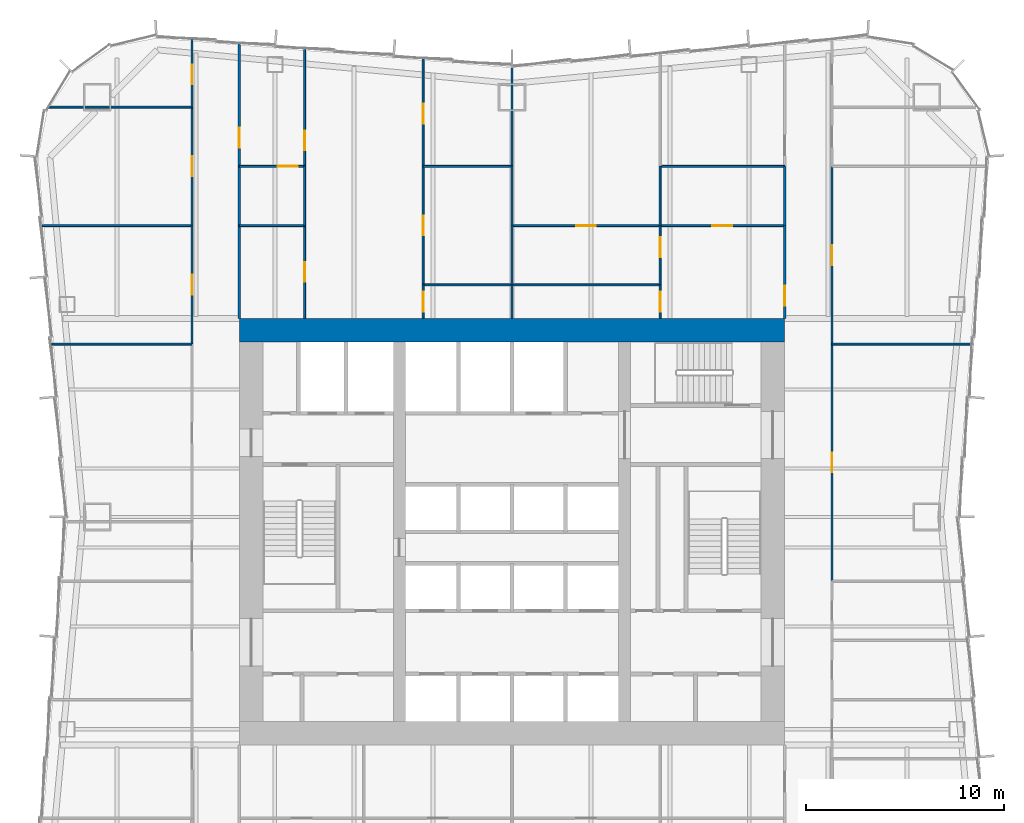
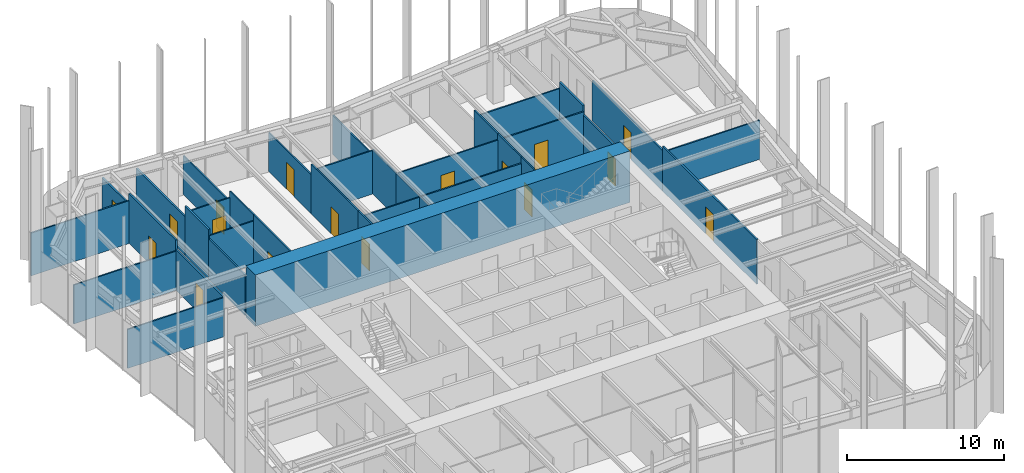
# One storey, part 11 of 13: 36 walls, 17 doors, 17 openings.
"""IFC4 building model written with IfcOpenShell, lengths in metres."""

import ifcopenshell
import ifcopenshell.guid

model = None  # the IFC model being written
_history = None  # IfcOwnerHistory: only IFC2X3 demands one
_inside = {}  # id of a spatial element -> (the spatial element, [elements in it])
_under = {}  # id of a project, library or spatial element -> (it, [spatial elements below it])
_declared = {}  # id of a project -> (the project, [libraries it declares])
_typed = {}  # id of a type object -> (the type object, [elements of that type])
_made_of = {}  # id of a material, layer set ... -> (it, [elements and type objects made of it])


def new_model(schema):
    """Start an empty IFC model of exactly this schema.

    Asked for "IFC4X3", IfcOpenShell would pick the latest addendum, in which some entities
    have other attributes; the version numbers below select the first issue.
    IFC2X3 requires an IfcOwnerHistory on every rooted entity: one is made here for all.
    """
    global model, _history
    if schema == "IFC4X3":
        model = ifcopenshell.file(schema_version=(4, 3, 0, 0))
    else:
        model = ifcopenshell.file(schema=schema)
    _inside.clear()
    _under.clear()
    _declared.clear()
    _typed.clear()
    _made_of.clear()
    _history = None
    if model.schema == "IFC2X3":
        org = make("IfcOrganization", Name="unknown")
        user = make(
            "IfcPersonAndOrganization",
            ThePerson=make("IfcPerson", FamilyName="unknown"),
            TheOrganization=org,
        )
        app = make(
            "IfcApplication",
            ApplicationDeveloper=org,
            Version="unknown",
            ApplicationFullName="unknown",
            ApplicationIdentifier="unknown",
        )
        _history = make(
            "IfcOwnerHistory",
            OwningUser=user,
            OwningApplication=app,
            ChangeAction="ADDED",
            CreationDate=0,
        )
    return model


def make(cls, **values):
    """One entity of the class cls with the attributes given. An attribute that is None is left unset."""
    return model.create_entity(
        cls, **{name: value for name, value in values.items() if value is not None}
    )


def rooted(cls, **values):
    """An entity with a GlobalId (a new one), such as an element, a storey or a relation."""
    return make(cls, GlobalId=ifcopenshell.guid.new(), OwnerHistory=_history, **values)


def si_unit(unit_type, name, prefix=None):
    """IfcSIUnit, for example si_unit("LENGTHUNIT", "METRE", prefix="MILLI")."""
    return make("IfcSIUnit", UnitType=unit_type, Prefix=prefix, Name=name)


def assignment(units):
    """IfcUnitAssignment: the units of a project."""
    return None if units is None else make("IfcUnitAssignment", Units=units)


def point(xyz):
    """IfcCartesianPoint."""
    return None if xyz is None else make("IfcCartesianPoint", Coordinates=xyz)


def direction(xyz):
    """IfcDirection."""
    return None if xyz is None else make("IfcDirection", DirectionRatios=xyz)


def frame(location, z_axis=None, x_axis=None):
    """IfcAxis2Placement3D, a coordinate frame: its origin and axes. An axis left out is left unset."""
    return make(
        "IfcAxis2Placement3D",
        Location=point(location),
        Axis=direction(z_axis),
        RefDirection=direction(x_axis),
    )


def frame_2d(location, x_axis=None):
    """IfcAxis2Placement2D, a coordinate frame in the plane: its origin and x axis."""
    return make(
        "IfcAxis2Placement2D", Location=point(location), RefDirection=direction(x_axis)
    )


def origin():
    """The frame at (0, 0, 0) with its axes left unset."""
    return frame((0.0, 0.0, 0.0))


def place(relative_to, where):
    """IfcLocalPlacement: puts the frame where relative to a parent placement (None: the world)."""
    return make(
        "IfcLocalPlacement", PlacementRelTo=relative_to, RelativePlacement=where
    )


def context(
    kind, dimensions, precision=None, world=None, true_north=None, identifier=None
):
    """IfcGeometricRepresentationContext, for example the 3D "Model" context."""
    return make(
        "IfcGeometricRepresentationContext",
        ContextIdentifier=identifier,
        ContextType=kind,
        CoordinateSpaceDimension=dimensions,
        Precision=precision,
        WorldCoordinateSystem=world,
        TrueNorth=true_north,
    )


def subcontext(parent, identifier, kind, view, scale=None):
    """IfcGeometricRepresentationSubContext, for example "Body" below "Model"."""
    return make(
        "IfcGeometricRepresentationSubContext",
        ContextIdentifier=identifier,
        ContextType=kind,
        ParentContext=parent,
        TargetScale=scale,
        TargetView=view,
    )


def project(units=None, contexts=None):
    """IfcProject with its units and contexts."""
    return rooted(
        "IfcProject",
        Name="project",
        RepresentationContexts=contexts,
        UnitsInContext=assignment(units),
    )


def spatial(cls, under=None, at=None, **own):
    """A site, building, storey or space (cls), placed at a placement, below another one or the project."""
    s = rooted(cls, ObjectPlacement=at, **own)
    if under is not None:
        _under.setdefault(under.id(), (under, []))[1].append(s)
    return s


def profile(cls, at=None, kind="AREA", **sizes):
    """A parametric profile (cls). Its sizes go by their IFC names, for example OverallWidth=200.0."""
    return make(cls, ProfileType=kind, Position=at, **sizes)


def rectangle(**sizes):
    """IfcRectangleProfileDef."""
    return profile("IfcRectangleProfileDef", **sizes)


def extrude(swept, where, along, depth):
    """IfcExtrudedAreaSolid: the profile swept, set in the frame where, extruded along a direction by depth."""
    return make(
        "IfcExtrudedAreaSolid",
        SweptArea=swept,
        Position=where,
        ExtrudedDirection=direction(along),
        Depth=depth,
    )


def shape(context_of_items, identifier, shape_type, items):
    """IfcShapeRepresentation: the items that make up one representation, for example the "Body"."""
    return make(
        "IfcShapeRepresentation",
        ContextOfItems=context_of_items,
        RepresentationIdentifier=identifier,
        RepresentationType=shape_type,
        Items=items,
    )


def material(Name=None, Category=None):
    """IfcMaterial."""
    return make("IfcMaterial", Name=Name, Category=Category)


def layer(
    of_material, thickness, ventilated=None, Name=None, Category=None, Priority=None
):
    """IfcMaterialLayer: one layer of a wall or slab, of a material (None: an air gap)."""
    return make(
        "IfcMaterialLayer",
        Material=of_material,
        LayerThickness=thickness,
        IsVentilated=ventilated,
        Name=Name,
        Category=Category,
        Priority=Priority,
    )


def layer_set(layers, Name=None):
    """IfcMaterialLayerSet."""
    return make("IfcMaterialLayerSet", MaterialLayers=layers, LayerSetName=Name)


def made_of(thing, what):
    """Note that an element or type object is made of a material, layer set ...; save() writes the relation."""
    if what is not None:
        _made_of.setdefault(what.id(), (what, []))[1].append(thing)
    return thing


def type_object(cls, material=None, **own):
    """A type object (cls), such as IfcWallType, which elements share."""
    return made_of(rooted(cls, **own), material)


def element(
    cls,
    number,
    at=None,
    inside=None,
    cuts=None,
    type_object=None,
    material=None,
    context=None,
    identifier="Body",
    shape_type=None,
    held_by="IfcProductDefinitionShape",
    body=None,
    shapes=None,
    **own,
):
    """One element of the class cls, such as IfcWall. Its Tag is "e" and its number.

    at: its placement. inside: the storey or other place that contains it. cuts: it is an
    opening in that element (IfcRelVoidsElement). A single representation is given by context,
    identifier, shape_type and body (its items); several are given by shapes. held_by: the class
    of the entity that holds the representations. save() writes the other relations.
    """
    e = rooted(cls, Tag="e%d" % number, ObjectPlacement=at, **own)
    if body is not None:
        shapes = [shape(context, identifier, shape_type, body)]
    if shapes is not None:
        e.Representation = make(held_by, Representations=shapes)
    if inside is not None:
        _inside.setdefault(inside.id(), (inside, []))[1].append(e)
    if cuts is not None:
        rooted(
            "IfcRelVoidsElement", RelatingBuildingElement=cuts, RelatedOpeningElement=e
        )
    if type_object is not None:
        _typed.setdefault(type_object.id(), (type_object, []))[1].append(e)
    return made_of(e, material)


def fill(opening, filler):
    """IfcRelFillsElement: the door or window that sits in an opening."""
    return rooted(
        "IfcRelFillsElement",
        RelatingOpeningElement=opening,
        RelatedBuildingElement=filler,
    )


def aggregate(whole, parts):
    """IfcRelAggregates: a whole, such as a stair, and the parts it consists of."""
    return rooted("IfcRelAggregates", RelatingObject=whole, RelatedObjects=parts)


def save(model, path):
    """Write the relations noted so far, then the file.

    IfcRelAggregates (storeys below a building ...), IfcRelContainedInSpatialStructure (elements
    in a storey), IfcRelDefinesByType, IfcRelAssociatesMaterial and IfcRelDeclares: one each for
    every whole, place, type object, material and project.
    """
    for whole, parts in _under.values():
        aggregate(whole, parts)
    for where, things in _inside.values():
        rooted(
            "IfcRelContainedInSpatialStructure",
            RelatedElements=things,
            RelatingStructure=where,
        )
    for kind, things in _typed.values():
        rooted("IfcRelDefinesByType", RelatedObjects=things, RelatingType=kind)
    for what, things in _made_of.values():
        rooted("IfcRelAssociatesMaterial", RelatedObjects=things, RelatingMaterial=what)
    for by, libraries in _declared.values():
        rooted("IfcRelDeclares", RelatingContext=by, RelatedDefinitions=libraries)
    model.write(path)


model = new_model("IFC4")

# Units and contexts
model_context = context("Model", 3, precision=1e-05, world=origin(), true_north=direction((0.0, 1.0)))
body_context = subcontext(model_context, "Body", "Model", "MODEL_VIEW")
ifc_project = project(units=[si_unit("LENGTHUNIT", "METRE"), si_unit("AREAUNIT", "SQUARE_METRE"), si_unit("VOLUMEUNIT", "CUBIC_METRE"), si_unit("PLANEANGLEUNIT", "RADIAN"), si_unit("MASSUNIT", "GRAM", prefix="KILO")], contexts=[model_context])

# Site, building, storey
site_placement = place(None, origin())
site = spatial("IfcSite", under=ifc_project, at=site_placement, CompositionType="ELEMENT")
building_placement = place(site_placement, origin())
building = spatial("IfcBuilding", under=site, at=building_placement, Name="Verdant Reach Tower", CompositionType="ELEMENT")
storey_placement = place(building_placement, frame((0.0, 0.0, 70.0)))
storey = spatial("IfcBuildingStorey", under=building, at=storey_placement, Name="L15", CompositionType="ELEMENT", Elevation=70.0)

# Walls
ifc_material_1 = material(Name="Gypsum board on steel studs", Category="steel")
ifc_layer_1 = layer(ifc_material_1, 0.10009765625)
ifc_layer_set_1 = layer_set([ifc_layer_1], Name="FL-W1 Partition 100")
wall_type_1 = type_object("IfcWallType", Name="FL-W1 Partition 100", PredefinedType="PARTITIONING", material=ifc_layer_set_1)
wall_1_placement = place(storey_placement, frame((-16.199951171875, 37.5, 0.0), z_axis=(0.0, 0.0, 1.0), x_axis=(-1.0, 0.0, 0.0)))
element("IfcWall", 1, at=wall_1_placement, inside=storey, type_object=wall_type_1, Name="Partition 15.33", PredefinedType="PARTITIONING", context=body_context, shape_type="SweptSolid", body=[
    extrude(rectangle(XDim=7.099365234375, YDim=0.10009765625, at=frame_2d((3.5498046875, 0.0))), origin(), (0.0, 0.0, 1.0), 3.0400390625),
])
wall_2_placement = place(storey_placement, frame((-16.199951171875, 43.5, 0.0), z_axis=(0.0, 0.0, 1.0), x_axis=(-1.0, 0.0, 0.0)))
element("IfcWall", 2, at=wall_2_placement, inside=storey, type_object=wall_type_1, Name="Partition 15.34", PredefinedType="PARTITIONING", context=body_context, shape_type="SweptSolid", body=[
    extrude(rectangle(XDim=7.59228515625, YDim=0.10009765625, at=frame_2d((3.796142578125, 0.0))), origin(), (0.0, 0.0, 1.0), 3.0400390625),
])
wall_3_placement = place(storey_placement, frame((-16.199951171875, 49.5, 0.0), z_axis=(0.0, 0.0, 1.0), x_axis=(-1.0, 0.0, 0.0)))
element("IfcWall", 3, at=wall_3_placement, inside=storey, type_object=wall_type_1, Name="Partition 15.35", PredefinedType="PARTITIONING", context=body_context, shape_type="SweptSolid", body=[
    extrude(rectangle(XDim=7.287109375, YDim=0.10009765625, at=frame_2d((3.6435546875, 0.0))), origin(), (0.0, 0.0, 1.0), 3.340087890625),
])
wall_4_placement = place(storey_placement, frame((23.29931640625, 37.5, 0.0), z_axis=(0.0, 0.0, 1.0), x_axis=(-1.0, 0.0, 0.0)))
element("IfcWall", 4, at=wall_4_placement, inside=storey, type_object=wall_type_1, Name="Partition 15.40", PredefinedType="PARTITIONING", context=body_context, shape_type="SweptSolid", body=[
    extrude(rectangle(XDim=7.099365234375, YDim=0.10009765625, at=frame_2d((3.5498046875, 0.0))), origin(), (0.0, 0.0, 1.0), 3.0400390625),
])
wall_5_placement = place(storey_placement, frame((-10.5, 43.5, 0.0), z_axis=(0.0, 0.0, 1.0), x_axis=(-1.0, 0.0, 0.0)))
element("IfcWall", 5, at=wall_5_placement, inside=storey, type_object=wall_type_1, Name="Partition 15.57", PredefinedType="PARTITIONING", context=body_context, shape_type="SweptSolid", body=[
    extrude(rectangle(XDim=3.300048828125, YDim=0.10009765625, at=frame_2d((1.64990234375, 0.0))), origin(), (0.0, 0.0, 1.0), 3.389892578125),
])

# Wall, opening, door
wall_6_placement = place(storey_placement, frame((-10.5, 38.800048828125, 0.0), z_axis=(0.0, 0.0, 1.0), x_axis=(0.0, 1.0, 0.0)))
wall_6 = element("IfcWall", 6, at=wall_6_placement, inside=storey, type_object=wall_type_1, Name="Partition 15.58", PredefinedType="PARTITIONING", context=body_context, shape_type="SweptSolid", body=[
    extrude(rectangle(XDim=4.703857421875, YDim=0.10009765625, at=frame_2d((2.35205078125, 0.0))), origin(), (0.0, 0.0, 1.0), 3.8701171875),
])
opening_1_placement = place(wall_6_placement, frame((1.85205078125, 0.0, 0.0)))
opening_1 = element("IfcOpeningElement", 7, at=opening_1_placement, cuts=wall_6, Name="Opening D3", PredefinedType="OPENING", context=body_context, shape_type="SweptSolid", body=[
    extrude(rectangle(XDim=1.0, YDim=2.10009765625, at=frame_2d((0.5, 1.050048828125))), frame((0.0, 0.06005859375, 0.0), z_axis=(0.0, -1.0, 0.0), x_axis=(1.0, 0.0, 0.0)), (0.0, 0.0, 1.0), 0.1201171875),
])
ifc_material_2 = material(Name="Painted timber door leaf", Category="wood")
door_type_1 = type_object("IfcDoorType", Name="FL-D3 Door 1000x2100", OperationType="NOTDEFINED", PredefinedType="DOOR", material=ifc_material_2)
door_1_placement = place(opening_1_placement, origin())
door_1 = element("IfcDoor", 8, at=door_1_placement, inside=storey, type_object=door_type_1, Name="Door 15-030", OperationType="SINGLE_SWING_RIGHT", OverallHeight=2.10009765625, OverallWidth=1.0, PredefinedType="DOOR", context=body_context, shape_type="SweptSolid", body=[
    extrude(rectangle(XDim=1.0, YDim=2.10009765625, at=frame_2d((0.5, 1.050048828125))), frame((0.0, 0.02490234375, 0.0), z_axis=(0.0, -1.0, 0.0), x_axis=(1.0, 0.0, 0.0)), (0.0, 0.0, 1.0), 0.050048828125),
])
fill(opening_1, door_1)

wall_7_placement = place(storey_placement, frame((-10.5, 46.5, 0.0), z_axis=(0.0, 0.0, 1.0), x_axis=(-1.0, 0.0, 0.0)))
wall_7 = element("IfcWall", 9, at=wall_7_placement, inside=storey, type_object=wall_type_1, Name="Partition 15.59", PredefinedType="PARTITIONING", context=body_context, shape_type="SweptSolid", body=[
    extrude(rectangle(XDim=3.300048828125, YDim=0.10009765625, at=frame_2d((1.64990234375, 0.0))), origin(), (0.0, 0.0, 1.0), 3.389892578125),
])
opening_2_placement = place(wall_7_placement, frame((0.35009765625, 0.0, 0.0)))
opening_2 = element("IfcOpeningElement", 10, at=opening_2_placement, cuts=wall_7, Name="Opening D3", PredefinedType="OPENING", context=body_context, shape_type="SweptSolid", body=[
    extrude(rectangle(XDim=1.0, YDim=2.10009765625, at=frame_2d((0.5, 1.050048828125))), frame((0.0, 0.06005859375, 0.0), z_axis=(0.0, -1.0, 0.0), x_axis=(1.0, 0.0, 0.0)), (0.0, 0.0, 1.0), 0.1201171875),
])
door_2_placement = place(opening_2_placement, origin())
door_2 = element("IfcDoor", 11, at=door_2_placement, inside=storey, type_object=door_type_1, Name="Door 15-031", OperationType="SINGLE_SWING_LEFT", OverallHeight=2.10009765625, OverallWidth=1.0, PredefinedType="DOOR", context=body_context, shape_type="SweptSolid", body=[
    extrude(rectangle(XDim=1.0, YDim=2.10009765625, at=frame_2d((0.5, 1.050048828125))), frame((0.0, 0.02490234375, 0.0), z_axis=(0.0, -1.0, 0.0), x_axis=(1.0, 0.0, 0.0)), (0.0, 0.0, 1.0), 0.050048828125),
])
fill(opening_2, door_2)

# Wall
wall_8_placement = place(storey_placement, frame((-10.5, 43.49609375, 0.0), z_axis=(0.0, 0.0, 1.0), x_axis=(0.0, 1.0, 0.0)))
element("IfcWall", 12, at=wall_8_placement, inside=storey, type_object=wall_type_1, Name="Partition 15.60", PredefinedType="PARTITIONING", context=body_context, shape_type="SweptSolid", body=[
    extrude(rectangle(XDim=3.0078125, YDim=0.10009765625, at=frame_2d((1.50390625, 0.0))), origin(), (0.0, 0.0, 1.0), 3.8701171875),
])

# Wall, opening, door
wall_9_placement = place(storey_placement, frame((-10.5, 52.455078125, 0.0), z_axis=(0.0, 0.0, 1.0), x_axis=(0.0, -1.0, 0.0)))
wall_9 = element("IfcWall", 13, at=wall_9_placement, inside=storey, type_object=wall_type_1, Name="Partition 15.61", PredefinedType="PARTITIONING", context=body_context, shape_type="SweptSolid", body=[
    extrude(rectangle(XDim=5.958984375, YDim=0.10009765625, at=frame_2d((2.9794921875, 0.0))), origin(), (0.0, 0.0, 1.0), 3.0400390625),
])
opening_3_placement = place(wall_9_placement, frame((4.14453125, 0.0, 0.0)))
opening_3 = element("IfcOpeningElement", 14, at=opening_3_placement, cuts=wall_9, Name="Opening D3", PredefinedType="OPENING", context=body_context, shape_type="SweptSolid", body=[
    extrude(rectangle(XDim=1.0, YDim=2.10009765625, at=frame_2d((0.5, 1.050048828125))), frame((0.0, 0.06005859375, 0.0), z_axis=(0.0, -1.0, 0.0), x_axis=(1.0, 0.0, 0.0)), (0.0, 0.0, 1.0), 0.1201171875),
])
door_3_placement = place(opening_3_placement, origin())
door_3 = element("IfcDoor", 15, at=door_3_placement, inside=storey, type_object=door_type_1, Name="Door 15-032", OperationType="SINGLE_SWING_RIGHT", OverallHeight=2.10009765625, OverallWidth=1.0, PredefinedType="DOOR", context=body_context, shape_type="SweptSolid", body=[
    extrude(rectangle(XDim=1.0, YDim=2.10009765625, at=frame_2d((0.5, 1.050048828125))), frame((0.0, 0.02490234375, 0.0), z_axis=(0.0, -1.0, 0.0), x_axis=(1.0, 0.0, 0.0)), (0.0, 0.0, 1.0), 0.050048828125),
])
fill(opening_3, door_3)

wall_10_placement = place(storey_placement, frame((-4.5, 40.5, 0.0), z_axis=(0.0, 0.0, 1.0), x_axis=(0.0, -1.0, 0.0)))
wall_10 = element("IfcWall", 16, at=wall_10_placement, inside=storey, type_object=wall_type_1, Name="Partition 15.62", PredefinedType="PARTITIONING", context=body_context, shape_type="SweptSolid", body=[
    extrude(rectangle(XDim=1.699951171875, YDim=0.10009765625, at=frame_2d((0.85009765625, 0.0))), origin(), (0.0, 0.0, 1.0), 3.8701171875),
])
opening_4_placement = place(wall_10_placement, frame((0.35009765625, 0.0, 0.0)))
opening_4 = element("IfcOpeningElement", 17, at=opening_4_placement, cuts=wall_10, Name="Opening D3", PredefinedType="OPENING", context=body_context, shape_type="SweptSolid", body=[
    extrude(rectangle(XDim=1.0, YDim=2.10009765625, at=frame_2d((0.5, 1.050048828125))), frame((0.0, 0.06005859375, 0.0), z_axis=(0.0, -1.0, 0.0), x_axis=(1.0, 0.0, 0.0)), (0.0, 0.0, 1.0), 0.1201171875),
])
door_4_placement = place(opening_4_placement, origin())
door_4 = element("IfcDoor", 18, at=door_4_placement, inside=storey, type_object=door_type_1, Name="Door 15-033", OperationType="SINGLE_SWING_LEFT", OverallHeight=2.10009765625, OverallWidth=1.0, PredefinedType="DOOR", context=body_context, shape_type="SweptSolid", body=[
    extrude(rectangle(XDim=1.0, YDim=2.10009765625, at=frame_2d((0.5, 1.050048828125))), frame((0.0, 0.02490234375, 0.0), z_axis=(0.0, -1.0, 0.0), x_axis=(1.0, 0.0, 0.0)), (0.0, 0.0, 1.0), 0.050048828125),
])
fill(opening_4, door_4)

wall_11_placement = place(storey_placement, frame((-4.5, 46.5, 0.0), z_axis=(0.0, 0.0, 1.0), x_axis=(0.0, -1.0, 0.0)))
wall_11 = element("IfcWall", 19, at=wall_11_placement, inside=storey, type_object=wall_type_1, Name="Partition 15.63", PredefinedType="PARTITIONING", context=body_context, shape_type="SweptSolid", body=[
    extrude(rectangle(XDim=6.0, YDim=0.10009765625, at=frame_2d((3.0, 0.0))), origin(), (0.0, 0.0, 1.0), 3.8701171875),
])
opening_5_placement = place(wall_11_placement, frame((2.5, 0.0, 0.0)))
opening_5 = element("IfcOpeningElement", 20, at=opening_5_placement, cuts=wall_11, Name="Opening D3", PredefinedType="OPENING", context=body_context, shape_type="SweptSolid", body=[
    extrude(rectangle(XDim=1.0, YDim=2.10009765625, at=frame_2d((0.5, 1.050048828125))), frame((0.0, 0.06005859375, 0.0), z_axis=(0.0, -1.0, 0.0), x_axis=(1.0, 0.0, 0.0)), (0.0, 0.0, 1.0), 0.1201171875),
])
door_5_placement = place(opening_5_placement, origin())
door_5 = element("IfcDoor", 21, at=door_5_placement, inside=storey, type_object=door_type_1, Name="Door 15-034", OperationType="SINGLE_SWING_RIGHT", OverallHeight=2.10009765625, OverallWidth=1.0, PredefinedType="DOOR", context=body_context, shape_type="SweptSolid", body=[
    extrude(rectangle(XDim=1.0, YDim=2.10009765625, at=frame_2d((0.5, 1.050048828125))), frame((0.0, 0.02490234375, 0.0), z_axis=(0.0, -1.0, 0.0), x_axis=(1.0, 0.0, 0.0)), (0.0, 0.0, 1.0), 0.050048828125),
])
fill(opening_5, door_5)

wall_12_placement = place(storey_placement, frame((-4.5, 51.955078125, 0.0), z_axis=(0.0, 0.0, 1.0), x_axis=(0.0, -1.0, 0.0)))
wall_12 = element("IfcWall", 22, at=wall_12_placement, inside=storey, type_object=wall_type_1, Name="Partition 15.64", PredefinedType="PARTITIONING", context=body_context, shape_type="SweptSolid", body=[
    extrude(rectangle(XDim=5.455078125, YDim=0.10009765625, at=frame_2d((2.7275390625, 0.0))), origin(), (0.0, 0.0, 1.0), 3.0400390625),
])
opening_6_placement = place(wall_12_placement, frame((2.29248046875, 0.0, 0.0)))
opening_6 = element("IfcOpeningElement", 23, at=opening_6_placement, cuts=wall_12, Name="Opening D3", PredefinedType="OPENING", context=body_context, shape_type="SweptSolid", body=[
    extrude(rectangle(XDim=1.0, YDim=2.10009765625, at=frame_2d((0.5, 1.050048828125))), frame((0.0, 0.06005859375, 0.0), z_axis=(0.0, -1.0, 0.0), x_axis=(1.0, 0.0, 0.0)), (0.0, 0.0, 1.0), 0.1201171875),
])
door_6_placement = place(opening_6_placement, origin())
door_6 = element("IfcDoor", 24, at=door_6_placement, inside=storey, type_object=door_type_1, Name="Door 15-035", OperationType="SINGLE_SWING_RIGHT", OverallHeight=2.10009765625, OverallWidth=1.0, PredefinedType="DOOR", context=body_context, shape_type="SweptSolid", body=[
    extrude(rectangle(XDim=1.0, YDim=2.10009765625, at=frame_2d((0.5, 1.050048828125))), frame((0.0, 0.02490234375, 0.0), z_axis=(0.0, -1.0, 0.0), x_axis=(1.0, 0.0, 0.0)), (0.0, 0.0, 1.0), 0.050048828125),
])
fill(opening_6, door_6)

# Walls
wall_13_placement = place(storey_placement, frame((0.0, 40.5, 0.0), z_axis=(0.0, 0.0, 1.0), x_axis=(-1.0, 0.0, 0.0)))
element("IfcWall", 25, at=wall_13_placement, inside=storey, type_object=wall_type_1, Name="Partition 15.65", PredefinedType="PARTITIONING", context=body_context, shape_type="SweptSolid", body=[
    extrude(rectangle(XDim=4.5, YDim=0.10009765625, at=frame_2d((2.25, 0.0))), origin(), (0.0, 0.0, 1.0), 3.389892578125),
])
wall_14_placement = place(storey_placement, frame((0.0, 38.800048828125, 0.0), z_axis=(0.0, 0.0, 1.0), x_axis=(0.0, 1.0, 0.0)))
element("IfcWall", 26, at=wall_14_placement, inside=storey, type_object=wall_type_1, Name="Partition 15.66", PredefinedType="PARTITIONING", context=body_context, shape_type="SweptSolid", body=[
    extrude(rectangle(XDim=1.699951171875, YDim=0.10009765625, at=frame_2d((0.85009765625, 0.0))), origin(), (0.0, 0.0, 1.0), 3.43994140625),
])
wall_15_placement = place(storey_placement, frame((0.0, 46.5, 0.0), z_axis=(0.0, 0.0, 1.0), x_axis=(-1.0, 0.0, 0.0)))
element("IfcWall", 27, at=wall_15_placement, inside=storey, type_object=wall_type_1, Name="Partition 15.67", PredefinedType="PARTITIONING", context=body_context, shape_type="SweptSolid", body=[
    extrude(rectangle(XDim=4.5, YDim=0.10009765625, at=frame_2d((2.25, 0.0))), origin(), (0.0, 0.0, 1.0), 3.389892578125),
])
wall_16_placement = place(storey_placement, frame((0.0, 40.5, 0.0), z_axis=(0.0, 0.0, 1.0), x_axis=(0.0, 1.0, 0.0)))
element("IfcWall", 28, at=wall_16_placement, inside=storey, type_object=wall_type_1, Name="Partition 15.68", PredefinedType="PARTITIONING", context=body_context, shape_type="SweptSolid", body=[
    extrude(rectangle(XDim=3.0, YDim=0.10009765625, at=frame_2d((1.5, 0.0))), origin(), (0.0, 0.0, 1.0), 3.43994140625),
])
wall_17_placement = place(storey_placement, frame((0.0, 43.5, 0.0), z_axis=(0.0, 0.0, 1.0), x_axis=(0.0, 1.0, 0.0)))
element("IfcWall", 29, at=wall_17_placement, inside=storey, type_object=wall_type_1, Name="Partition 15.69", PredefinedType="PARTITIONING", context=body_context, shape_type="SweptSolid", body=[
    extrude(rectangle(XDim=3.00390625, YDim=0.10009765625, at=frame_2d((1.501953125, 0.0))), origin(), (0.0, 0.0, 1.0), 3.43994140625),
])
wall_18_placement = place(storey_placement, frame((0.0, 46.49609375, 0.0), z_axis=(0.0, 0.0, 1.0), x_axis=(0.0, 1.0, 0.0)))
element("IfcWall", 30, at=wall_18_placement, inside=storey, type_object=wall_type_1, Name="Partition 15.70", PredefinedType="PARTITIONING", context=body_context, shape_type="SweptSolid", body=[
    extrude(rectangle(XDim=5.083984375, YDim=0.10009765625, at=frame_2d((2.5419921875, 0.0))), origin(), (0.0, 0.0, 1.0), 3.0400390625),
])

# Wall, opening, door
wall_19_placement = place(storey_placement, frame((7.5, 43.5, 0.0), z_axis=(0.0, 0.0, 1.0), x_axis=(1.0, 0.0, 0.0)))
wall_19 = element("IfcWall", 31, at=wall_19_placement, inside=storey, type_object=wall_type_1, Name="Partition 15.71", PredefinedType="PARTITIONING", context=body_context, shape_type="SweptSolid", body=[
    extrude(rectangle(XDim=6.300048828125, YDim=0.10009765625, at=frame_2d((3.14990234375, 0.0))), origin(), (0.0, 0.0, 1.0), 3.389892578125),
])
opening_7_placement = place(wall_19_placement, frame((2.64990234375, 0.0, 0.0)))
opening_7 = element("IfcOpeningElement", 32, at=opening_7_placement, cuts=wall_19, Name="Opening D3", PredefinedType="OPENING", context=body_context, shape_type="SweptSolid", body=[
    extrude(rectangle(XDim=1.0, YDim=2.10009765625, at=frame_2d((0.5, 1.050048828125))), frame((0.0, 0.06005859375, 0.0), z_axis=(0.0, -1.0, 0.0), x_axis=(1.0, 0.0, 0.0)), (0.0, 0.0, 1.0), 0.1201171875),
])
door_7_placement = place(opening_7_placement, origin())
door_7 = element("IfcDoor", 33, at=door_7_placement, inside=storey, type_object=door_type_1, Name="Door 15-036", OperationType="SINGLE_SWING_RIGHT", OverallHeight=2.10009765625, OverallWidth=1.0, PredefinedType="DOOR", context=body_context, shape_type="SweptSolid", body=[
    extrude(rectangle(XDim=1.0, YDim=2.10009765625, at=frame_2d((0.5, 1.050048828125))), frame((0.0, 0.02490234375, 0.0), z_axis=(0.0, -1.0, 0.0), x_axis=(1.0, 0.0, 0.0)), (0.0, 0.0, 1.0), 0.050048828125),
])
fill(opening_7, door_7)

wall_20_placement = place(storey_placement, frame((7.5, 38.800048828125, 0.0), z_axis=(0.0, 0.0, 1.0), x_axis=(0.0, 1.0, 0.0)))
wall_20 = element("IfcWall", 34, at=wall_20_placement, inside=storey, type_object=wall_type_1, Name="Partition 15.72", PredefinedType="PARTITIONING", context=body_context, shape_type="SweptSolid", body=[
    extrude(rectangle(XDim=1.699951171875, YDim=0.10009765625, at=frame_2d((0.85009765625, 0.0))), origin(), (0.0, 0.0, 1.0), 3.8701171875),
])
opening_8_placement = place(wall_20_placement, frame((0.35009765625, 0.0, 0.0)))
opening_8 = element("IfcOpeningElement", 35, at=opening_8_placement, cuts=wall_20, Name="Opening D3", PredefinedType="OPENING", context=body_context, shape_type="SweptSolid", body=[
    extrude(rectangle(XDim=1.0, YDim=2.10009765625, at=frame_2d((0.5, 1.050048828125))), frame((0.0, 0.06005859375, 0.0), z_axis=(0.0, -1.0, 0.0), x_axis=(1.0, 0.0, 0.0)), (0.0, 0.0, 1.0), 0.1201171875),
])
door_8_placement = place(opening_8_placement, origin())
door_8 = element("IfcDoor", 36, at=door_8_placement, inside=storey, type_object=door_type_1, Name="Door 15-037", OperationType="SINGLE_SWING_LEFT", OverallHeight=2.10009765625, OverallWidth=1.0, PredefinedType="DOOR", context=body_context, shape_type="SweptSolid", body=[
    extrude(rectangle(XDim=1.0, YDim=2.10009765625, at=frame_2d((0.5, 1.050048828125))), frame((0.0, 0.02490234375, 0.0), z_axis=(0.0, -1.0, 0.0), x_axis=(1.0, 0.0, 0.0)), (0.0, 0.0, 1.0), 0.050048828125),
])
fill(opening_8, door_8)

wall_21_placement = place(storey_placement, frame((7.5, 40.5, 0.0), z_axis=(0.0, 0.0, 1.0), x_axis=(0.0, 1.0, 0.0)))
wall_21 = element("IfcWall", 37, at=wall_21_placement, inside=storey, type_object=wall_type_1, Name="Partition 15.73", PredefinedType="PARTITIONING", context=body_context, shape_type="SweptSolid", body=[
    extrude(rectangle(XDim=3.0, YDim=0.10009765625, at=frame_2d((1.5, 0.0))), origin(), (0.0, 0.0, 1.0), 3.8701171875),
])
opening_9_placement = place(wall_21_placement, frame((1.39990234375, 0.0, 0.0)))
opening_9 = element("IfcOpeningElement", 38, at=opening_9_placement, cuts=wall_21, Name="Opening D3", PredefinedType="OPENING", context=body_context, shape_type="SweptSolid", body=[
    extrude(rectangle(XDim=1.0, YDim=2.10009765625, at=frame_2d((0.5, 1.050048828125))), frame((0.0, 0.06005859375, 0.0), z_axis=(0.0, -1.0, 0.0), x_axis=(1.0, 0.0, 0.0)), (0.0, 0.0, 1.0), 0.1201171875),
])
door_9_placement = place(opening_9_placement, origin())
door_9 = element("IfcDoor", 39, at=door_9_placement, inside=storey, type_object=door_type_1, Name="Door 15-038", OperationType="SINGLE_SWING_RIGHT", OverallHeight=2.10009765625, OverallWidth=1.0, PredefinedType="DOOR", context=body_context, shape_type="SweptSolid", body=[
    extrude(rectangle(XDim=1.0, YDim=2.10009765625, at=frame_2d((0.5, 1.050048828125))), frame((0.0, 0.02490234375, 0.0), z_axis=(0.0, -1.0, 0.0), x_axis=(1.0, 0.0, 0.0)), (0.0, 0.0, 1.0), 0.050048828125),
])
fill(opening_9, door_9)

# Walls
wall_22_placement = place(storey_placement, frame((13.800048828125, 46.5, 0.0), z_axis=(0.0, 0.0, 1.0), x_axis=(-1.0, 0.0, 0.0)))
element("IfcWall", 40, at=wall_22_placement, inside=storey, type_object=wall_type_1, Name="Partition 15.74", PredefinedType="PARTITIONING", context=body_context, shape_type="SweptSolid", body=[
    extrude(rectangle(XDim=6.300048828125, YDim=0.10009765625, at=frame_2d((3.14990234375, 0.0))), origin(), (0.0, 0.0, 1.0), 3.389892578125),
])
wall_23_placement = place(storey_placement, frame((7.5, 46.50390625, 0.0), z_axis=(0.0, 0.0, 1.0), x_axis=(0.0, -1.0, 0.0)))
element("IfcWall", 41, at=wall_23_placement, inside=storey, type_object=wall_type_1, Name="Partition 15.75", PredefinedType="PARTITIONING", context=body_context, shape_type="SweptSolid", body=[
    extrude(rectangle(XDim=3.00390625, YDim=0.10009765625, at=frame_2d((1.501953125, 0.0))), origin(), (0.0, 0.0, 1.0), 3.8701171875),
])
wall_24_placement = place(storey_placement, frame((7.5, 40.5, 0.0), z_axis=(0.0, 0.0, 1.0), x_axis=(-1.0, 0.0, 0.0)))
element("IfcWall", 42, at=wall_24_placement, inside=storey, type_object=wall_type_1, Name="Partition 15.77", PredefinedType="PARTITIONING", context=body_context, shape_type="SweptSolid", body=[
    extrude(rectangle(XDim=7.5, YDim=0.10009765625, at=frame_2d((3.75, 0.0))), origin(), (0.0, 0.0, 1.0), 3.389892578125),
])

# Wall, opening, door
wall_25_placement = place(storey_placement, frame((0.0, 43.5, 0.0), z_axis=(0.0, 0.0, 1.0), x_axis=(1.0, 0.0, 0.0)))
wall_25 = element("IfcWall", 43, at=wall_25_placement, inside=storey, type_object=wall_type_1, Name="Partition 15.78", PredefinedType="PARTITIONING", context=body_context, shape_type="SweptSolid", body=[
    extrude(rectangle(XDim=7.5, YDim=0.10009765625, at=frame_2d((3.75, 0.0))), origin(), (0.0, 0.0, 1.0), 3.389892578125),
])
opening_10_placement = place(wall_25_placement, frame((3.25, 0.0, 0.0)))
opening_10 = element("IfcOpeningElement", 44, at=opening_10_placement, cuts=wall_25, Name="Opening D3", PredefinedType="OPENING", context=body_context, shape_type="SweptSolid", body=[
    extrude(rectangle(XDim=1.0, YDim=2.10009765625, at=frame_2d((0.5, 1.050048828125))), frame((0.0, 0.06005859375, 0.0), z_axis=(0.0, -1.0, 0.0), x_axis=(1.0, 0.0, 0.0)), (0.0, 0.0, 1.0), 0.1201171875),
])
door_10_placement = place(opening_10_placement, origin())
door_10 = element("IfcDoor", 45, at=door_10_placement, inside=storey, type_object=door_type_1, Name="Door 15-039", OperationType="SINGLE_SWING_LEFT", OverallHeight=2.10009765625, OverallWidth=1.0, PredefinedType="DOOR", context=body_context, shape_type="SweptSolid", body=[
    extrude(rectangle(XDim=1.0, YDim=2.10009765625, at=frame_2d((0.5, 1.050048828125))), frame((0.0, 0.02490234375, 0.0), z_axis=(0.0, -1.0, 0.0), x_axis=(1.0, 0.0, 0.0)), (0.0, 0.0, 1.0), 0.050048828125),
])
fill(opening_10, door_10)

ifc_material_3 = material(Name="Gypsum board on steel studs, fire rated", Category="steel")
ifc_layer_2 = layer(ifc_material_3, 0.125)
ifc_layer_set_2 = layer_set([ifc_layer_2], Name="FL-W2 Corridor wall 125")
wall_type_2 = type_object("IfcWallType", Name="FL-W2 Corridor wall 125", PredefinedType="PARTITIONING", material=ifc_layer_set_2)
wall_26_placement = place(storey_placement, frame((-16.199951171875, 37.5, 0.0), z_axis=(0.0, 0.0, 1.0), x_axis=(0.0, 1.0, 0.0)))
wall_26 = element("IfcWall", 46, at=wall_26_placement, inside=storey, type_object=wall_type_2, Name="Partition 15.06", PredefinedType="PARTITIONING", context=body_context, shape_type="SweptSolid", body=[
    extrude(rectangle(XDim=6.0, YDim=0.125, at=frame_2d((3.0, 0.0))), origin(), (0.0, 0.0, 1.0), 3.139892578125),
])
opening_11_placement = place(wall_26_placement, frame((2.5, 0.0, 0.0)))
opening_11 = element("IfcOpeningElement", 47, at=opening_11_placement, cuts=wall_26, Name="Opening D2", PredefinedType="OPENING", context=body_context, shape_type="SweptSolid", body=[
    extrude(rectangle(XDim=1.0, YDim=2.10009765625, at=frame_2d((0.5, 1.050048828125))), frame((0.0, 0.072509765625, 0.0), z_axis=(0.0, -1.0, 0.0), x_axis=(1.0, 0.0, 0.0)), (0.0, 0.0, 1.0), 0.14501953125),
])
ifc_material_4 = material(Name="Timber door leaf, fire rated", Category="wood")
door_type_2 = type_object("IfcDoorType", Name="FL-D2 Entrance door 1000x2100 FD30", OperationType="NOTDEFINED", PredefinedType="DOOR", material=ifc_material_4)
door_11_placement = place(opening_11_placement, origin())
door_11 = element("IfcDoor", 48, at=door_11_placement, inside=storey, type_object=door_type_2, Name="Door 15-006", OperationType="SINGLE_SWING_RIGHT", OverallHeight=2.10009765625, OverallWidth=1.0, PredefinedType="DOOR", context=body_context, shape_type="SweptSolid", body=[
    extrude(rectangle(XDim=1.0, YDim=2.10009765625, at=frame_2d((0.5, 1.050048828125))), frame((0.0, 0.02490234375, 0.0), z_axis=(0.0, -1.0, 0.0), x_axis=(1.0, 0.0, 0.0)), (0.0, 0.0, 1.0), 0.050048828125),
])
fill(opening_11, door_11)

wall_27_placement = place(storey_placement, frame((-16.199951171875, 43.5, 0.0), z_axis=(0.0, 0.0, 1.0), x_axis=(0.0, 1.0, 0.0)))
wall_27 = element("IfcWall", 49, at=wall_27_placement, inside=storey, type_object=wall_type_2, Name="Partition 15.07", PredefinedType="PARTITIONING", context=body_context, shape_type="SweptSolid", body=[
    extrude(rectangle(XDim=6.0, YDim=0.125, at=frame_2d((3.0, 0.0))), origin(), (0.0, 0.0, 1.0), 3.8701171875),
])
opening_12_placement = place(wall_27_placement, frame((2.5, 0.0, 0.0)))
opening_12 = element("IfcOpeningElement", 50, at=opening_12_placement, cuts=wall_27, Name="Opening D2", PredefinedType="OPENING", context=body_context, shape_type="SweptSolid", body=[
    extrude(rectangle(XDim=1.0, YDim=2.10009765625, at=frame_2d((0.5, 1.050048828125))), frame((0.0, 0.072509765625, 0.0), z_axis=(0.0, -1.0, 0.0), x_axis=(1.0, 0.0, 0.0)), (0.0, 0.0, 1.0), 0.14501953125),
])
door_12_placement = place(opening_12_placement, origin())
door_12 = element("IfcDoor", 51, at=door_12_placement, inside=storey, type_object=door_type_2, Name="Door 15-007", OperationType="SINGLE_SWING_LEFT", OverallHeight=2.10009765625, OverallWidth=1.0, PredefinedType="DOOR", context=body_context, shape_type="SweptSolid", body=[
    extrude(rectangle(XDim=1.0, YDim=2.10009765625, at=frame_2d((0.5, 1.050048828125))), frame((0.0, 0.02490234375, 0.0), z_axis=(0.0, -1.0, 0.0), x_axis=(1.0, 0.0, 0.0)), (0.0, 0.0, 1.0), 0.050048828125),
])
fill(opening_12, door_12)

wall_28_placement = place(storey_placement, frame((-16.199951171875, 49.5, 0.0), z_axis=(0.0, 0.0, 1.0), x_axis=(0.0, 1.0, 0.0)))
wall_28 = element("IfcWall", 52, at=wall_28_placement, inside=storey, type_object=wall_type_2, Name="Partition 15.08", PredefinedType="PARTITIONING", context=body_context, shape_type="SweptSolid", body=[
    extrude(rectangle(XDim=3.429931640625, YDim=0.125, at=frame_2d((1.71484375, 0.0))), origin(), (0.0, 0.0, 1.0), 3.0400390625),
])
opening_13_placement = place(wall_28_placement, frame((1.14990234375, 0.0, 0.0)))
opening_13 = element("IfcOpeningElement", 53, at=opening_13_placement, cuts=wall_28, Name="Opening D2", PredefinedType="OPENING", context=body_context, shape_type="SweptSolid", body=[
    extrude(rectangle(XDim=1.0, YDim=2.10009765625, at=frame_2d((0.5, 1.050048828125))), frame((0.0, 0.072509765625, 0.0), z_axis=(0.0, -1.0, 0.0), x_axis=(1.0, 0.0, 0.0)), (0.0, 0.0, 1.0), 0.14501953125),
])
door_13_placement = place(opening_13_placement, origin())
door_13 = element("IfcDoor", 54, at=door_13_placement, inside=storey, type_object=door_type_2, Name="Door 15-008", OperationType="SINGLE_SWING_LEFT", OverallHeight=2.10009765625, OverallWidth=1.0, PredefinedType="DOOR", context=body_context, shape_type="SweptSolid", body=[
    extrude(rectangle(XDim=1.0, YDim=2.10009765625, at=frame_2d((0.5, 1.050048828125))), frame((0.0, 0.02490234375, 0.0), z_axis=(0.0, -1.0, 0.0), x_axis=(1.0, 0.0, 0.0)), (0.0, 0.0, 1.0), 0.050048828125),
])
fill(opening_13, door_13)

# Walls
wall_29_placement = place(storey_placement, frame((-13.800048828125, 38.800048828125, 0.0), z_axis=(0.0, 0.0, 1.0), x_axis=(0.0, 1.0, 0.0)))
element("IfcWall", 55, at=wall_29_placement, inside=storey, type_object=wall_type_2, Name="Partition 15.12", PredefinedType="PARTITIONING", context=body_context, shape_type="SweptSolid", body=[
    extrude(rectangle(XDim=4.699951171875, YDim=0.125, at=frame_2d((2.35009765625, 0.0))), origin(), (0.0, 0.0, 1.0), 3.139892578125),
])
wall_30_placement = place(storey_placement, frame((-13.800048828125, 43.5, 0.0), z_axis=(0.0, 0.0, 1.0), x_axis=(0.0, 1.0, 0.0)))
element("IfcWall", 56, at=wall_30_placement, inside=storey, type_object=wall_type_2, Name="Partition 15.13", PredefinedType="PARTITIONING", context=body_context, shape_type="SweptSolid", body=[
    extrude(rectangle(XDim=3.0, YDim=0.125, at=frame_2d((1.5, 0.0))), origin(), (0.0, 0.0, 1.0), 3.8701171875),
])

# Wall, opening, door
wall_31_placement = place(storey_placement, frame((-13.800048828125, 52.72998046875, 0.0), z_axis=(0.0, 0.0, 1.0), x_axis=(0.0, -1.0, 0.0)))
wall_31 = element("IfcWall", 57, at=wall_31_placement, inside=storey, type_object=wall_type_2, Name="Partition 15.14", PredefinedType="PARTITIONING", context=body_context, shape_type="SweptSolid", body=[
    extrude(rectangle(XDim=6.22998046875, YDim=0.125, at=frame_2d((3.114990234375, 0.0))), origin(), (0.0, 0.0, 1.0), 3.0400390625),
])
opening_14_placement = place(wall_31_placement, frame((4.280029296875, 0.0, 0.0)))
opening_14 = element("IfcOpeningElement", 58, at=opening_14_placement, cuts=wall_31, Name="Opening D2", PredefinedType="OPENING", context=body_context, shape_type="SweptSolid", body=[
    extrude(rectangle(XDim=1.0, YDim=2.10009765625, at=frame_2d((0.5, 1.050048828125))), frame((0.0, 0.072509765625, 0.0), z_axis=(0.0, -1.0, 0.0), x_axis=(1.0, 0.0, 0.0)), (0.0, 0.0, 1.0), 0.14501953125),
])
door_14_placement = place(opening_14_placement, origin())
door_14 = element("IfcDoor", 59, at=door_14_placement, inside=storey, type_object=door_type_2, Name="Door 15-010", OperationType="SINGLE_SWING_RIGHT", OverallHeight=2.10009765625, OverallWidth=1.0, PredefinedType="DOOR", context=body_context, shape_type="SweptSolid", body=[
    extrude(rectangle(XDim=1.0, YDim=2.10009765625, at=frame_2d((0.5, 1.050048828125))), frame((0.0, 0.02490234375, 0.0), z_axis=(0.0, -1.0, 0.0), x_axis=(1.0, 0.0, 0.0)), (0.0, 0.0, 1.0), 0.050048828125),
])
fill(opening_14, door_14)

wall_32_placement = place(storey_placement, frame((16.199951171875, 37.5, 0.0), z_axis=(0.0, 0.0, 1.0), x_axis=(0.0, -1.0, 0.0)))
wall_32 = element("IfcWall", 60, at=wall_32_placement, inside=storey, type_object=wall_type_2, Name="Partition 15.19", PredefinedType="PARTITIONING", context=body_context, shape_type="SweptSolid", body=[
    extrude(rectangle(XDim=12.0, YDim=0.125, at=frame_2d((6.0, 0.0))), origin(), (0.0, 0.0, 1.0), 3.47998046875),
])
opening_15_placement = place(wall_32_placement, frame((5.5, 0.0, 0.0)))
opening_15 = element("IfcOpeningElement", 61, at=opening_15_placement, cuts=wall_32, Name="Opening D2", PredefinedType="OPENING", context=body_context, shape_type="SweptSolid", body=[
    extrude(rectangle(XDim=1.0, YDim=2.10009765625, at=frame_2d((0.5, 1.050048828125))), frame((0.0, 0.072509765625, 0.0), z_axis=(0.0, -1.0, 0.0), x_axis=(1.0, 0.0, 0.0)), (0.0, 0.0, 1.0), 0.14501953125),
])
door_15_placement = place(opening_15_placement, origin())
door_15 = element("IfcDoor", 62, at=door_15_placement, inside=storey, type_object=door_type_2, Name="Door 15-015", OperationType="SINGLE_SWING_LEFT", OverallHeight=2.10009765625, OverallWidth=1.0, PredefinedType="DOOR", context=body_context, shape_type="SweptSolid", body=[
    extrude(rectangle(XDim=1.0, YDim=2.10009765625, at=frame_2d((0.5, 1.050048828125))), frame((0.0, 0.02490234375, 0.0), z_axis=(0.0, -1.0, 0.0), x_axis=(1.0, 0.0, 0.0)), (0.0, 0.0, 1.0), 0.050048828125),
])
fill(opening_15, door_15)

wall_33_placement = place(storey_placement, frame((16.199951171875, 46.5, 0.0), z_axis=(0.0, 0.0, 1.0), x_axis=(0.0, -1.0, 0.0)))
wall_33 = element("IfcWall", 63, at=wall_33_placement, inside=storey, type_object=wall_type_2, Name="Partition 15.20", PredefinedType="PARTITIONING", context=body_context, shape_type="SweptSolid", body=[
    extrude(rectangle(XDim=9.0, YDim=0.125, at=frame_2d((4.5, 0.0))), origin(), (0.0, 0.0, 1.0), 3.139892578125),
])
opening_16_placement = place(wall_33_placement, frame((4.0, 0.0, 0.0)))
opening_16 = element("IfcOpeningElement", 64, at=opening_16_placement, cuts=wall_33, Name="Opening D2", PredefinedType="OPENING", context=body_context, shape_type="SweptSolid", body=[
    extrude(rectangle(XDim=1.0, YDim=2.10009765625, at=frame_2d((0.5, 1.050048828125))), frame((0.0, 0.072509765625, 0.0), z_axis=(0.0, -1.0, 0.0), x_axis=(1.0, 0.0, 0.0)), (0.0, 0.0, 1.0), 0.14501953125),
])
door_16_placement = place(opening_16_placement, origin())
door_16 = element("IfcDoor", 65, at=door_16_placement, inside=storey, type_object=door_type_2, Name="Door 15-016", OperationType="SINGLE_SWING_RIGHT", OverallHeight=2.10009765625, OverallWidth=1.0, PredefinedType="DOOR", context=body_context, shape_type="SweptSolid", body=[
    extrude(rectangle(XDim=1.0, YDim=2.10009765625, at=frame_2d((0.5, 1.050048828125))), frame((0.0, 0.02490234375, 0.0), z_axis=(0.0, -1.0, 0.0), x_axis=(1.0, 0.0, 0.0)), (0.0, 0.0, 1.0), 0.050048828125),
])
fill(opening_16, door_16)

wall_34_placement = place(storey_placement, frame((13.800048828125, 38.800048828125, 0.0), z_axis=(0.0, 0.0, 1.0), x_axis=(0.0, 1.0, 0.0)))
wall_34 = element("IfcWall", 66, at=wall_34_placement, inside=storey, type_object=wall_type_2, Name="Partition 15.26", PredefinedType="PARTITIONING", context=body_context, shape_type="SweptSolid", body=[
    extrude(rectangle(XDim=4.699951171875, YDim=0.125, at=frame_2d((2.35009765625, 0.0))), origin(), (0.0, 0.0, 1.0), 3.139892578125),
])
opening_17_placement = place(wall_34_placement, frame((0.64990234375, 0.0, 0.0)))
opening_17 = element("IfcOpeningElement", 67, at=opening_17_placement, cuts=wall_34, Name="Opening D2", PredefinedType="OPENING", context=body_context, shape_type="SweptSolid", body=[
    extrude(rectangle(XDim=1.0, YDim=2.10009765625, at=frame_2d((0.5, 1.050048828125))), frame((0.0, 0.072509765625, 0.0), z_axis=(0.0, -1.0, 0.0), x_axis=(1.0, 0.0, 0.0)), (0.0, 0.0, 1.0), 0.14501953125),
])
door_17_placement = place(opening_17_placement, origin())
door_17 = element("IfcDoor", 68, at=door_17_placement, inside=storey, type_object=door_type_2, Name="Door 15-021", OperationType="SINGLE_SWING_LEFT", OverallHeight=2.10009765625, OverallWidth=1.0, PredefinedType="DOOR", context=body_context, shape_type="SweptSolid", body=[
    extrude(rectangle(XDim=1.0, YDim=2.10009765625, at=frame_2d((0.5, 1.050048828125))), frame((0.0, 0.02490234375, 0.0), z_axis=(0.0, -1.0, 0.0), x_axis=(1.0, 0.0, 0.0)), (0.0, 0.0, 1.0), 0.050048828125),
])
fill(opening_17, door_17)

# Walls
wall_35_placement = place(storey_placement, frame((13.800048828125, 46.5, 0.0), z_axis=(0.0, 0.0, 1.0), x_axis=(0.0, -1.0, 0.0)))
element("IfcWall", 69, at=wall_35_placement, inside=storey, type_object=wall_type_2, Name="Partition 15.27", PredefinedType="PARTITIONING", context=body_context, shape_type="SweptSolid", body=[
    extrude(rectangle(XDim=3.0, YDim=0.125, at=frame_2d((1.5, 0.0))), origin(), (0.0, 0.0, 1.0), 3.8701171875),
])
ifc_material_5 = material(Name="Concrete C70/85", Category="concrete")
ifc_layer_3 = layer(ifc_material_5, 1.199951171875)
ifc_layer_set_3 = layer_set([ifc_layer_3], Name="ST-CORE-WALL-1200")
wall_type_3 = type_object("IfcWallType", Name="ST-CORE-WALL-1200", PredefinedType="SHEAR", material=ifc_layer_set_3)
wall_36_placement = place(storey_placement, frame((-13.800048828125, 38.199951171875, -0.1298828125), z_axis=(0.0, 0.0, 1.0), x_axis=(1.0, 0.0, 0.0)))
element("IfcWall", 70, at=wall_36_placement, inside=storey, type_object=wall_type_3, Name="Core wall N, L15", PredefinedType="SHEAR", context=body_context, shape_type="SweptSolid", body=[
    extrude(rectangle(XDim=27.60009765625, YDim=1.199951171875, at=frame_2d((13.800048828125, 0.0))), origin(), (0.0, 0.0, 1.0), 4.0),
])

save(model, "model.ifc")
